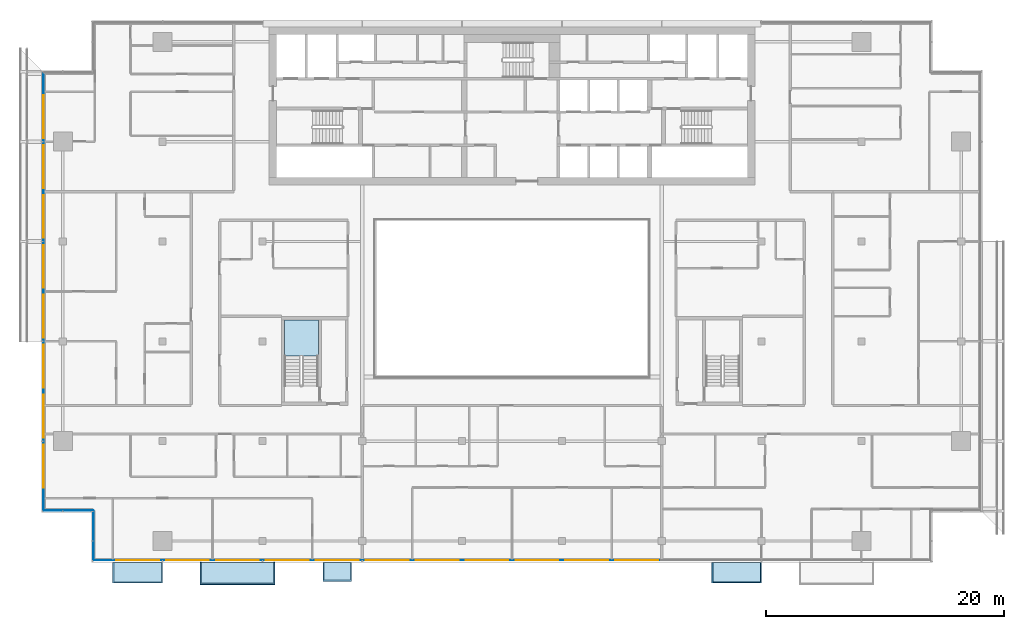
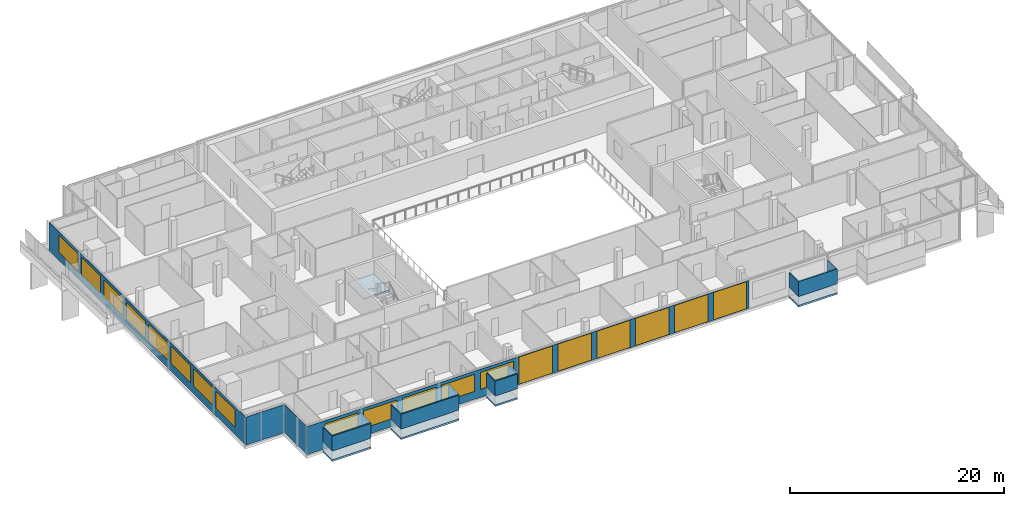
# One storey, part 15 of 29: 19 windows, 12 plates, 5 slabs, 19 openings, 5 elements without a shape of their own.
"""IFC4 building model written with IfcOpenShell, lengths in metres."""

from ifc_helpers import new_model, si_unit, direction, frame, frame_2d, origin, place, context, subcontext, project, spatial, polyline, rectangle, outline, extrude, material, layer, layer_set, type_object, element, fill, aggregate, save


model = new_model("IFC4")

# Units and contexts
model_context = context("Model", 3, precision=1e-05, world=origin(), true_north=direction((0.0, 1.0)))
body_context = subcontext(model_context, "Body", "Model", "MODEL_VIEW")
ifc_project = project(units=[si_unit("LENGTHUNIT", "METRE"), si_unit("AREAUNIT", "SQUARE_METRE"), si_unit("VOLUMEUNIT", "CUBIC_METRE"), si_unit("PLANEANGLEUNIT", "RADIAN"), si_unit("MASSUNIT", "GRAM", prefix="KILO")], contexts=[model_context])

# Site, building, storey
site_placement = place(None, origin())
site = spatial("IfcSite", under=ifc_project, at=site_placement, CompositionType="ELEMENT")
building_placement = place(site_placement, origin())
building = spatial("IfcBuilding", under=site, at=building_placement, Name="Saffron Gate Tower", CompositionType="ELEMENT")
storey_placement = place(building_placement, frame((0.0, 0.0, 219.89990234375)))
storey = spatial("IfcBuildingStorey", under=building, at=storey_placement, Name="L53", CompositionType="ELEMENT", Elevation=219.89990234375)

# Curtain wall, plates, openings, windows
ifc_material_1 = material(Name="Aluminium, bronze anodised", Category="aluminium")
curtain_wall_type_1 = type_object("IfcCurtainWallType", Name="CWS1 curtain wall front facade", PredefinedType="NOTDEFINED", material=ifc_material_1)
curtain_wall_1_placement = place(storey_placement, origin())
curtain_wall_1 = element("IfcCurtainWall", 1, at=curtain_wall_1_placement, inside=storey, type_object=curtain_wall_type_1, Name="CWS1 run 1", PredefinedType="NOTDEFINED")
ifc_material_2 = material(Name="Clear low-iron laminated glass", Category="glass")
ifc_layer_1 = layer(ifc_material_2, 0.028076171875)
ifc_layer_set_1 = layer_set([ifc_layer_1], Name="CWS1 clear glass")
plate_type_1 = type_object("IfcPlateType", Name="CWS1 clear glass", PredefinedType="CURTAIN_PANEL", material=ifc_layer_set_1)
plate_1_placement = place(storey_placement, frame((75.030029296875, 30.174072265625, 0.0), z_axis=(0.0, 0.0, 1.0), x_axis=(1.0, 0.0, 0.0)))
plate_1 = element("IfcPlate", 2, at=plate_1_placement, type_object=plate_type_1, Name="CWS1 clear glass panel", PredefinedType="CURTAIN_PANEL", context=body_context, shape_type="SweptSolid", body=[
    extrude(rectangle(XDim=25.139892578125, YDim=0.028076171875, at=frame_2d((12.56982421875, 0.0))), origin(), (0.0, 0.0, 1.0), 3.2001953125),
])
opening_1_placement = place(plate_1_placement, frame((0.27001953125, 0.0, 0.050048828125)))
opening_1 = element("IfcOpeningElement", 3, at=opening_1_placement, cuts=plate_1, Name="Opening WA", PredefinedType="OPENING", context=body_context, shape_type="SweptSolid", body=[
    extrude(rectangle(XDim=3.60009765625, YDim=3.10009765625, at=frame_2d((1.800048828125, 1.550048828125))), frame((0.0, 0.02392578125, 0.0), z_axis=(0.0, -1.0, 0.0), x_axis=(1.0, 0.0, 0.0)), (0.0, 0.0, 1.0), 0.048095703125),
])
opening_2_placement = place(plate_1_placement, frame((4.469970703125, 0.0, 0.050048828125)))
opening_2 = element("IfcOpeningElement", 4, at=opening_2_placement, cuts=plate_1, Name="Opening WA", PredefinedType="OPENING", context=body_context, shape_type="SweptSolid", body=[
    extrude(rectangle(XDim=3.60009765625, YDim=3.10009765625, at=frame_2d((1.800048828125, 1.550048828125))), frame((0.0, 0.02392578125, 0.0), z_axis=(0.0, -1.0, 0.0), x_axis=(1.0, 0.0, 0.0)), (0.0, 0.0, 1.0), 0.048095703125),
])
opening_3_placement = place(plate_1_placement, frame((8.669921875, 0.0, 0.050048828125)))
opening_3 = element("IfcOpeningElement", 5, at=opening_3_placement, cuts=plate_1, Name="Opening WA", PredefinedType="OPENING", context=body_context, shape_type="SweptSolid", body=[
    extrude(rectangle(XDim=3.60009765625, YDim=3.10009765625, at=frame_2d((1.800048828125, 1.550048828125))), frame((0.0, 0.02392578125, 0.0), z_axis=(0.0, -1.0, 0.0), x_axis=(1.0, 0.0, 0.0)), (0.0, 0.0, 1.0), 0.048095703125),
])
opening_4_placement = place(plate_1_placement, frame((12.8701171875, 0.0, 0.050048828125)))
opening_4 = element("IfcOpeningElement", 6, at=opening_4_placement, cuts=plate_1, Name="Opening WA", PredefinedType="OPENING", context=body_context, shape_type="SweptSolid", body=[
    extrude(rectangle(XDim=3.60009765625, YDim=3.10009765625, at=frame_2d((1.800048828125, 1.550048828125))), frame((0.0, 0.02392578125, 0.0), z_axis=(0.0, -1.0, 0.0), x_axis=(1.0, 0.0, 0.0)), (0.0, 0.0, 1.0), 0.048095703125),
])
opening_5_placement = place(plate_1_placement, frame((17.070068359375, 0.0, 0.050048828125)))
opening_5 = element("IfcOpeningElement", 7, at=opening_5_placement, cuts=plate_1, Name="Opening WA", PredefinedType="OPENING", context=body_context, shape_type="SweptSolid", body=[
    extrude(rectangle(XDim=3.60009765625, YDim=3.10009765625, at=frame_2d((1.800048828125, 1.550048828125))), frame((0.0, 0.02392578125, 0.0), z_axis=(0.0, -1.0, 0.0), x_axis=(1.0, 0.0, 0.0)), (0.0, 0.0, 1.0), 0.048095703125),
])
opening_6_placement = place(plate_1_placement, frame((21.27001953125, 0.0, 0.050048828125)))
opening_6 = element("IfcOpeningElement", 8, at=opening_6_placement, cuts=plate_1, Name="Opening WA", PredefinedType="OPENING", context=body_context, shape_type="SweptSolid", body=[
    extrude(rectangle(XDim=3.60009765625, YDim=3.10009765625, at=frame_2d((1.800048828125, 1.550048828125))), frame((0.0, 0.02392578125, 0.0), z_axis=(0.0, -1.0, 0.0), x_axis=(1.0, 0.0, 0.0)), (0.0, 0.0, 1.0), 0.048095703125),
])
ifc_material_3 = material(Name="Clear low-iron laminated glass in bronze frame", Category="glass")
ifc_layer_2 = layer(ifc_material_3, 0.06005859375)
ifc_layer_set_2 = layer_set([ifc_layer_2], Name="WA operable atrium unit 3600x3100")
window_type_1 = type_object("IfcWindowType", Name="WA operable atrium unit 3600x3100", PartitioningType="DOUBLE_PANEL_HORIZONTAL", PredefinedType="WINDOW", material=ifc_layer_set_2)
window_1_placement = place(opening_1_placement, origin())
window_1 = element("IfcWindow", 9, at=window_1_placement, type_object=window_type_1, Name="WA operable atrium unit", OverallHeight=3.10009765625, OverallWidth=3.60009765625, PartitioningType="SINGLE_PANEL", PredefinedType="WINDOW", context=body_context, shape_type="SweptSolid", body=[
    extrude(rectangle(XDim=3.60009765625, YDim=3.10009765625, at=frame_2d((1.800048828125, 1.550048828125))), frame((0.0, 0.013671875, 0.0), z_axis=(0.0, -1.0, 0.0), x_axis=(1.0, 0.0, 0.0)), (0.0, 0.0, 1.0), 0.027587890625),
])
fill(opening_1, window_1)
window_2_placement = place(opening_2_placement, origin())
window_2 = element("IfcWindow", 10, at=window_2_placement, type_object=window_type_1, Name="WA operable atrium unit", OverallHeight=3.10009765625, OverallWidth=3.60009765625, PartitioningType="SINGLE_PANEL", PredefinedType="WINDOW", context=body_context, shape_type="SweptSolid", body=[
    extrude(rectangle(XDim=3.60009765625, YDim=3.10009765625, at=frame_2d((1.800048828125, 1.550048828125))), frame((0.0, 0.013671875, 0.0), z_axis=(0.0, -1.0, 0.0), x_axis=(1.0, 0.0, 0.0)), (0.0, 0.0, 1.0), 0.027587890625),
])
fill(opening_2, window_2)
window_3_placement = place(opening_3_placement, origin())
window_3 = element("IfcWindow", 11, at=window_3_placement, type_object=window_type_1, Name="WA operable atrium unit", OverallHeight=3.10009765625, OverallWidth=3.60009765625, PartitioningType="SINGLE_PANEL", PredefinedType="WINDOW", context=body_context, shape_type="SweptSolid", body=[
    extrude(rectangle(XDim=3.60009765625, YDim=3.10009765625, at=frame_2d((1.800048828125, 1.550048828125))), frame((0.0, 0.013671875, 0.0), z_axis=(0.0, -1.0, 0.0), x_axis=(1.0, 0.0, 0.0)), (0.0, 0.0, 1.0), 0.027587890625),
])
fill(opening_3, window_3)
window_4_placement = place(opening_4_placement, origin())
window_4 = element("IfcWindow", 12, at=window_4_placement, type_object=window_type_1, Name="WA operable atrium unit", OverallHeight=3.10009765625, OverallWidth=3.60009765625, PartitioningType="SINGLE_PANEL", PredefinedType="WINDOW", context=body_context, shape_type="SweptSolid", body=[
    extrude(rectangle(XDim=3.60009765625, YDim=3.10009765625, at=frame_2d((1.800048828125, 1.550048828125))), frame((0.0, 0.013671875, 0.0), z_axis=(0.0, -1.0, 0.0), x_axis=(1.0, 0.0, 0.0)), (0.0, 0.0, 1.0), 0.027587890625),
])
fill(opening_4, window_4)
window_5_placement = place(opening_5_placement, origin())
window_5 = element("IfcWindow", 13, at=window_5_placement, type_object=window_type_1, Name="WA operable atrium unit", OverallHeight=3.10009765625, OverallWidth=3.60009765625, PartitioningType="SINGLE_PANEL", PredefinedType="WINDOW", context=body_context, shape_type="SweptSolid", body=[
    extrude(rectangle(XDim=3.60009765625, YDim=3.10009765625, at=frame_2d((1.800048828125, 1.550048828125))), frame((0.0, 0.013671875, 0.0), z_axis=(0.0, -1.0, 0.0), x_axis=(1.0, 0.0, 0.0)), (0.0, 0.0, 1.0), 0.027587890625),
])
fill(opening_5, window_5)
window_6_placement = place(opening_6_placement, origin())
window_6 = element("IfcWindow", 14, at=window_6_placement, type_object=window_type_1, Name="WA operable atrium unit", OverallHeight=3.10009765625, OverallWidth=3.60009765625, PartitioningType="SINGLE_PANEL", PredefinedType="WINDOW", context=body_context, shape_type="SweptSolid", body=[
    extrude(rectangle(XDim=3.60009765625, YDim=3.10009765625, at=frame_2d((1.800048828125, 1.550048828125))), frame((0.0, 0.013671875, 0.0), z_axis=(0.0, -1.0, 0.0), x_axis=(1.0, 0.0, 0.0)), (0.0, 0.0, 1.0), 0.027587890625),
])
fill(opening_6, window_6)
ifc_material_4 = material(Name="Fritted bronze-tinted laminated glass", Category="glass")
ifc_layer_3 = layer(ifc_material_4, 0.028076171875)
ifc_layer_set_3 = layer_set([ifc_layer_3], Name="CWS1 fixed glass")
plate_type_2 = type_object("IfcPlateType", Name="CWS1 fixed glass", PredefinedType="CURTAIN_PANEL", material=ifc_layer_set_3)
plate_2_placement = place(storey_placement, frame((52.387939453125, 30.174072265625, 0.0), z_axis=(0.0, 0.0, 1.0), x_axis=(1.0, 0.0, 0.0)))
plate_2 = element("IfcPlate", 15, at=plate_2_placement, type_object=plate_type_2, Name="CWS1 glass panel", PredefinedType="CURTAIN_PANEL", context=body_context, shape_type="SweptSolid", body=[
    extrude(rectangle(XDim=22.64208984375, YDim=0.028076171875, at=frame_2d((11.321044921875, 0.0))), origin(), (0.0, 0.0, 1.0), 3.2001953125),
])
opening_7_placement = place(plate_2_placement, frame((1.912109375, 0.0, 0.89990234375)))
opening_7 = element("IfcOpeningElement", 16, at=opening_7_placement, cuts=plate_2, Name="Opening W1", PredefinedType="OPENING", context=body_context, shape_type="SweptSolid", body=[
    extrude(rectangle(XDim=3.60009765625, YDim=1.949951171875, at=frame_2d((1.800048828125, 0.97509765625))), frame((0.0, 0.02392578125, 0.0), z_axis=(0.0, -1.0, 0.0), x_axis=(1.0, 0.0, 0.0)), (0.0, 0.0, 1.0), 0.048095703125),
])
opening_8_placement = place(plate_2_placement, frame((6.112060546875, 0.0, 0.89990234375)))
opening_8 = element("IfcOpeningElement", 17, at=opening_8_placement, cuts=plate_2, Name="Opening W1", PredefinedType="OPENING", context=body_context, shape_type="SweptSolid", body=[
    extrude(rectangle(XDim=3.60009765625, YDim=1.949951171875, at=frame_2d((1.800048828125, 0.97509765625))), frame((0.0, 0.02392578125, 0.0), z_axis=(0.0, -1.0, 0.0), x_axis=(1.0, 0.0, 0.0)), (0.0, 0.0, 1.0), 0.048095703125),
])
opening_9_placement = place(plate_2_placement, frame((10.31201171875, 0.0, 0.89990234375)))
opening_9 = element("IfcOpeningElement", 18, at=opening_9_placement, cuts=plate_2, Name="Opening W1", PredefinedType="OPENING", context=body_context, shape_type="SweptSolid", body=[
    extrude(rectangle(XDim=3.60009765625, YDim=1.949951171875, at=frame_2d((1.800048828125, 0.97509765625))), frame((0.0, 0.02392578125, 0.0), z_axis=(0.0, -1.0, 0.0), x_axis=(1.0, 0.0, 0.0)), (0.0, 0.0, 1.0), 0.048095703125),
])
opening_10_placement = place(plate_2_placement, frame((14.511962890625, 0.0, 0.89990234375)))
opening_10 = element("IfcOpeningElement", 19, at=opening_10_placement, cuts=plate_2, Name="Opening W1", PredefinedType="OPENING", context=body_context, shape_type="SweptSolid", body=[
    extrude(rectangle(XDim=3.60009765625, YDim=1.949951171875, at=frame_2d((1.800048828125, 0.97509765625))), frame((0.0, 0.02392578125, 0.0), z_axis=(0.0, -1.0, 0.0), x_axis=(1.0, 0.0, 0.0)), (0.0, 0.0, 1.0), 0.048095703125),
])
opening_11_placement = place(plate_2_placement, frame((18.7119140625, 0.0, 0.89990234375)))
opening_11 = element("IfcOpeningElement", 20, at=opening_11_placement, cuts=plate_2, Name="Opening W1", PredefinedType="OPENING", context=body_context, shape_type="SweptSolid", body=[
    extrude(rectangle(XDim=3.60009765625, YDim=1.949951171875, at=frame_2d((1.800048828125, 0.97509765625))), frame((0.0, 0.02392578125, 0.0), z_axis=(0.0, -1.0, 0.0), x_axis=(1.0, 0.0, 0.0)), (0.0, 0.0, 1.0), 0.048095703125),
])
ifc_material_5 = material(Name="Fritted bronze-tinted laminated glass in bronze frame", Category="glass")
ifc_layer_4 = layer(ifc_material_5, 0.06005859375)
ifc_layer_set_4 = layer_set([ifc_layer_4], Name="W1 operable panel 3600x1950")
window_type_2 = type_object("IfcWindowType", Name="W1 operable panel 3600x1950", PartitioningType="DOUBLE_PANEL_HORIZONTAL", PredefinedType="WINDOW", material=ifc_layer_set_4)
window_7_placement = place(opening_7_placement, origin())
window_7 = element("IfcWindow", 21, at=window_7_placement, type_object=window_type_2, Name="W1 operable panel", OverallHeight=1.949951171875, OverallWidth=3.60009765625, PartitioningType="SINGLE_PANEL", PredefinedType="WINDOW", context=body_context, shape_type="SweptSolid", body=[
    extrude(rectangle(XDim=3.60009765625, YDim=1.949951171875, at=frame_2d((1.800048828125, 0.97509765625))), frame((0.0, 0.013671875, 0.0), z_axis=(0.0, -1.0, 0.0), x_axis=(1.0, 0.0, 0.0)), (0.0, 0.0, 1.0), 0.027587890625),
])
fill(opening_7, window_7)
window_8_placement = place(opening_8_placement, origin())
window_8 = element("IfcWindow", 22, at=window_8_placement, type_object=window_type_2, Name="W1 operable panel", OverallHeight=1.949951171875, OverallWidth=3.60009765625, PartitioningType="SINGLE_PANEL", PredefinedType="WINDOW", context=body_context, shape_type="SweptSolid", body=[
    extrude(rectangle(XDim=3.60009765625, YDim=1.949951171875, at=frame_2d((1.800048828125, 0.97509765625))), frame((0.0, 0.013671875, 0.0), z_axis=(0.0, -1.0, 0.0), x_axis=(1.0, 0.0, 0.0)), (0.0, 0.0, 1.0), 0.027587890625),
])
fill(opening_8, window_8)
window_9_placement = place(opening_9_placement, origin())
window_9 = element("IfcWindow", 23, at=window_9_placement, type_object=window_type_2, Name="W1 operable panel", OverallHeight=1.949951171875, OverallWidth=3.60009765625, PartitioningType="SINGLE_PANEL", PredefinedType="WINDOW", context=body_context, shape_type="SweptSolid", body=[
    extrude(rectangle(XDim=3.60009765625, YDim=1.949951171875, at=frame_2d((1.800048828125, 0.97509765625))), frame((0.0, 0.013671875, 0.0), z_axis=(0.0, -1.0, 0.0), x_axis=(1.0, 0.0, 0.0)), (0.0, 0.0, 1.0), 0.027587890625),
])
fill(opening_9, window_9)
window_10_placement = place(opening_10_placement, origin())
window_10 = element("IfcWindow", 24, at=window_10_placement, type_object=window_type_2, Name="W1 operable panel", OverallHeight=1.949951171875, OverallWidth=3.60009765625, PartitioningType="SINGLE_PANEL", PredefinedType="WINDOW", context=body_context, shape_type="SweptSolid", body=[
    extrude(rectangle(XDim=3.60009765625, YDim=1.949951171875, at=frame_2d((1.800048828125, 0.97509765625))), frame((0.0, 0.013671875, 0.0), z_axis=(0.0, -1.0, 0.0), x_axis=(1.0, 0.0, 0.0)), (0.0, 0.0, 1.0), 0.027587890625),
])
fill(opening_10, window_10)
window_11_placement = place(opening_11_placement, origin())
window_11 = element("IfcWindow", 25, at=window_11_placement, type_object=window_type_2, Name="W1 operable panel", OverallHeight=1.949951171875, OverallWidth=3.60009765625, PartitioningType="SINGLE_PANEL", PredefinedType="WINDOW", context=body_context, shape_type="SweptSolid", body=[
    extrude(rectangle(XDim=3.60009765625, YDim=1.949951171875, at=frame_2d((1.800048828125, 0.97509765625))), frame((0.0, 0.013671875, 0.0), z_axis=(0.0, -1.0, 0.0), x_axis=(1.0, 0.0, 0.0)), (0.0, 0.0, 1.0), 0.027587890625),
])
fill(opening_11, window_11)
aggregate(curtain_wall_1, [plate_2, plate_1, window_7, window_8, window_9, window_10, window_11, window_1, window_2, window_3, window_4, window_5, window_6])

# Curtain wall, plate, openings, windows
curtain_wall_type_2 = type_object("IfcCurtainWallType", Name="CWS2 curtain wall side facades", PredefinedType="NOTDEFINED", material=ifc_material_1)
curtain_wall_2_placement = place(storey_placement, origin())
curtain_wall_2 = element("IfcCurtainWall", 26, at=curtain_wall_2_placement, inside=storey, type_object=curtain_wall_type_2, Name="CWS2 run 10", PredefinedType="NOTDEFINED")
ifc_layer_5 = layer(ifc_material_4, 0.028076171875)
ifc_layer_set_5 = layer_set([ifc_layer_5], Name="CWS2 fixed glass")
plate_type_3 = type_object("IfcPlateType", Name="CWS2 fixed glass", PredefinedType="CURTAIN_PANEL", material=ifc_layer_set_5)
plate_3_placement = place(storey_placement, frame((48.174072265625, 71.2119140625, 0.0), z_axis=(0.0, 0.0, 1.0), x_axis=(0.0, -1.0, 0.0)))
plate_3 = element("IfcPlate", 27, at=plate_3_placement, type_object=plate_type_3, Name="CWS2 glass panel", PredefinedType="CURTAIN_PANEL", context=body_context, shape_type="SweptSolid", body=[
    extrude(rectangle(XDim=36.823974609375, YDim=0.028076171875, at=frame_2d((18.412109375, 0.0))), origin(), (0.0, 0.0, 1.0), 3.2001953125),
])
opening_12_placement = place(plate_3_placement, frame((1.912109375, 0.0, 0.89990234375)))
opening_12 = element("IfcOpeningElement", 28, at=opening_12_placement, cuts=plate_3, Name="Opening W1", PredefinedType="OPENING", context=body_context, shape_type="SweptSolid", body=[
    extrude(rectangle(XDim=3.60009765625, YDim=1.949951171875, at=frame_2d((1.800048828125, 0.97509765625))), frame((0.0, 0.02392578125, 0.0), z_axis=(0.0, -1.0, 0.0), x_axis=(1.0, 0.0, 0.0)), (0.0, 0.0, 1.0), 0.048095703125),
])
opening_13_placement = place(plate_3_placement, frame((6.112060546875, 0.0, 0.89990234375)))
opening_13 = element("IfcOpeningElement", 29, at=opening_13_placement, cuts=plate_3, Name="Opening W1", PredefinedType="OPENING", context=body_context, shape_type="SweptSolid", body=[
    extrude(rectangle(XDim=3.60009765625, YDim=1.949951171875, at=frame_2d((1.800048828125, 0.97509765625))), frame((0.0, 0.02392578125, 0.0), z_axis=(0.0, -1.0, 0.0), x_axis=(1.0, 0.0, 0.0)), (0.0, 0.0, 1.0), 0.048095703125),
])
opening_14_placement = place(plate_3_placement, frame((10.31201171875, 0.0, 0.89990234375)))
opening_14 = element("IfcOpeningElement", 30, at=opening_14_placement, cuts=plate_3, Name="Opening W1", PredefinedType="OPENING", context=body_context, shape_type="SweptSolid", body=[
    extrude(rectangle(XDim=3.60009765625, YDim=1.949951171875, at=frame_2d((1.800048828125, 0.97509765625))), frame((0.0, 0.02392578125, 0.0), z_axis=(0.0, -1.0, 0.0), x_axis=(1.0, 0.0, 0.0)), (0.0, 0.0, 1.0), 0.048095703125),
])
opening_15_placement = place(plate_3_placement, frame((14.511962890625, 0.0, 0.89990234375)))
opening_15 = element("IfcOpeningElement", 31, at=opening_15_placement, cuts=plate_3, Name="Opening W1", PredefinedType="OPENING", context=body_context, shape_type="SweptSolid", body=[
    extrude(rectangle(XDim=3.60009765625, YDim=1.949951171875, at=frame_2d((1.800048828125, 0.97509765625))), frame((0.0, 0.02392578125, 0.0), z_axis=(0.0, -1.0, 0.0), x_axis=(1.0, 0.0, 0.0)), (0.0, 0.0, 1.0), 0.048095703125),
])
opening_16_placement = place(plate_3_placement, frame((18.7119140625, 0.0, 0.89990234375)))
opening_16 = element("IfcOpeningElement", 32, at=opening_16_placement, cuts=plate_3, Name="Opening W1", PredefinedType="OPENING", context=body_context, shape_type="SweptSolid", body=[
    extrude(rectangle(XDim=3.60009765625, YDim=1.949951171875, at=frame_2d((1.800048828125, 0.97509765625))), frame((0.0, 0.02392578125, 0.0), z_axis=(0.0, -1.0, 0.0), x_axis=(1.0, 0.0, 0.0)), (0.0, 0.0, 1.0), 0.048095703125),
])
opening_17_placement = place(plate_3_placement, frame((22.912109375, 0.0, 0.89990234375)))
opening_17 = element("IfcOpeningElement", 33, at=opening_17_placement, cuts=plate_3, Name="Opening W1", PredefinedType="OPENING", context=body_context, shape_type="SweptSolid", body=[
    extrude(rectangle(XDim=3.60009765625, YDim=1.949951171875, at=frame_2d((1.800048828125, 0.97509765625))), frame((0.0, 0.02392578125, 0.0), z_axis=(0.0, -1.0, 0.0), x_axis=(1.0, 0.0, 0.0)), (0.0, 0.0, 1.0), 0.048095703125),
])
opening_18_placement = place(plate_3_placement, frame((27.112060546875, 0.0, 0.89990234375)))
opening_18 = element("IfcOpeningElement", 34, at=opening_18_placement, cuts=plate_3, Name="Opening W1", PredefinedType="OPENING", context=body_context, shape_type="SweptSolid", body=[
    extrude(rectangle(XDim=3.60009765625, YDim=1.949951171875, at=frame_2d((1.800048828125, 0.97509765625))), frame((0.0, 0.02392578125, 0.0), z_axis=(0.0, -1.0, 0.0), x_axis=(1.0, 0.0, 0.0)), (0.0, 0.0, 1.0), 0.048095703125),
])
opening_19_placement = place(plate_3_placement, frame((31.31201171875, 0.0, 0.89990234375)))
opening_19 = element("IfcOpeningElement", 35, at=opening_19_placement, cuts=plate_3, Name="Opening W1", PredefinedType="OPENING", context=body_context, shape_type="SweptSolid", body=[
    extrude(rectangle(XDim=3.60009765625, YDim=1.949951171875, at=frame_2d((1.800048828125, 0.97509765625))), frame((0.0, 0.02392578125, 0.0), z_axis=(0.0, -1.0, 0.0), x_axis=(1.0, 0.0, 0.0)), (0.0, 0.0, 1.0), 0.048095703125),
])
window_12_placement = place(opening_12_placement, origin())
window_12 = element("IfcWindow", 36, at=window_12_placement, type_object=window_type_2, Name="W1 operable panel", OverallHeight=1.949951171875, OverallWidth=3.60009765625, PartitioningType="SINGLE_PANEL", PredefinedType="WINDOW", context=body_context, shape_type="SweptSolid", body=[
    extrude(rectangle(XDim=3.60009765625, YDim=1.949951171875, at=frame_2d((1.800048828125, 0.97509765625))), frame((0.0, 0.013671875, 0.0), z_axis=(0.0, -1.0, 0.0), x_axis=(1.0, 0.0, 0.0)), (0.0, 0.0, 1.0), 0.027587890625),
])
fill(opening_12, window_12)
window_13_placement = place(opening_13_placement, origin())
window_13 = element("IfcWindow", 37, at=window_13_placement, type_object=window_type_2, Name="W1 operable panel", OverallHeight=1.949951171875, OverallWidth=3.60009765625, PartitioningType="SINGLE_PANEL", PredefinedType="WINDOW", context=body_context, shape_type="SweptSolid", body=[
    extrude(rectangle(XDim=3.60009765625, YDim=1.949951171875, at=frame_2d((1.800048828125, 0.97509765625))), frame((0.0, 0.013671875, 0.0), z_axis=(0.0, -1.0, 0.0), x_axis=(1.0, 0.0, 0.0)), (0.0, 0.0, 1.0), 0.027587890625),
])
fill(opening_13, window_13)
window_14_placement = place(opening_14_placement, origin())
window_14 = element("IfcWindow", 38, at=window_14_placement, type_object=window_type_2, Name="W1 operable panel", OverallHeight=1.949951171875, OverallWidth=3.60009765625, PartitioningType="SINGLE_PANEL", PredefinedType="WINDOW", context=body_context, shape_type="SweptSolid", body=[
    extrude(rectangle(XDim=3.60009765625, YDim=1.949951171875, at=frame_2d((1.800048828125, 0.97509765625))), frame((0.0, 0.013671875, 0.0), z_axis=(0.0, -1.0, 0.0), x_axis=(1.0, 0.0, 0.0)), (0.0, 0.0, 1.0), 0.027587890625),
])
fill(opening_14, window_14)
window_15_placement = place(opening_15_placement, origin())
window_15 = element("IfcWindow", 39, at=window_15_placement, type_object=window_type_2, Name="W1 operable panel", OverallHeight=1.949951171875, OverallWidth=3.60009765625, PartitioningType="SINGLE_PANEL", PredefinedType="WINDOW", context=body_context, shape_type="SweptSolid", body=[
    extrude(rectangle(XDim=3.60009765625, YDim=1.949951171875, at=frame_2d((1.800048828125, 0.97509765625))), frame((0.0, 0.013671875, 0.0), z_axis=(0.0, -1.0, 0.0), x_axis=(1.0, 0.0, 0.0)), (0.0, 0.0, 1.0), 0.027587890625),
])
fill(opening_15, window_15)
window_16_placement = place(opening_16_placement, origin())
window_16 = element("IfcWindow", 40, at=window_16_placement, type_object=window_type_2, Name="W1 operable panel", OverallHeight=1.949951171875, OverallWidth=3.60009765625, PartitioningType="SINGLE_PANEL", PredefinedType="WINDOW", context=body_context, shape_type="SweptSolid", body=[
    extrude(rectangle(XDim=3.60009765625, YDim=1.949951171875, at=frame_2d((1.800048828125, 0.97509765625))), frame((0.0, 0.013671875, 0.0), z_axis=(0.0, -1.0, 0.0), x_axis=(1.0, 0.0, 0.0)), (0.0, 0.0, 1.0), 0.027587890625),
])
fill(opening_16, window_16)
window_17_placement = place(opening_17_placement, origin())
window_17 = element("IfcWindow", 41, at=window_17_placement, type_object=window_type_2, Name="W1 operable panel", OverallHeight=1.949951171875, OverallWidth=3.60009765625, PartitioningType="SINGLE_PANEL", PredefinedType="WINDOW", context=body_context, shape_type="SweptSolid", body=[
    extrude(rectangle(XDim=3.60009765625, YDim=1.949951171875, at=frame_2d((1.800048828125, 0.97509765625))), frame((0.0, 0.013671875, 0.0), z_axis=(0.0, -1.0, 0.0), x_axis=(1.0, 0.0, 0.0)), (0.0, 0.0, 1.0), 0.027587890625),
])
fill(opening_17, window_17)
window_18_placement = place(opening_18_placement, origin())
window_18 = element("IfcWindow", 42, at=window_18_placement, type_object=window_type_2, Name="W1 operable panel", OverallHeight=1.949951171875, OverallWidth=3.60009765625, PartitioningType="SINGLE_PANEL", PredefinedType="WINDOW", context=body_context, shape_type="SweptSolid", body=[
    extrude(rectangle(XDim=3.60009765625, YDim=1.949951171875, at=frame_2d((1.800048828125, 0.97509765625))), frame((0.0, 0.013671875, 0.0), z_axis=(0.0, -1.0, 0.0), x_axis=(1.0, 0.0, 0.0)), (0.0, 0.0, 1.0), 0.027587890625),
])
fill(opening_18, window_18)
window_19_placement = place(opening_19_placement, origin())
window_19 = element("IfcWindow", 43, at=window_19_placement, type_object=window_type_2, Name="W1 operable panel", OverallHeight=1.949951171875, OverallWidth=3.60009765625, PartitioningType="SINGLE_PANEL", PredefinedType="WINDOW", context=body_context, shape_type="SweptSolid", body=[
    extrude(rectangle(XDim=3.60009765625, YDim=1.949951171875, at=frame_2d((1.800048828125, 0.97509765625))), frame((0.0, 0.013671875, 0.0), z_axis=(0.0, -1.0, 0.0), x_axis=(1.0, 0.0, 0.0)), (0.0, 0.0, 1.0), 0.027587890625),
])
fill(opening_19, window_19)
aggregate(curtain_wall_2, [plate_3, window_12, window_13, window_14, window_15, window_16, window_17, window_18, window_19])

# Curtain wall, plate
curtain_wall_type_3 = type_object("IfcCurtainWallType", Name="CWS4 curtain wall corner returns", PredefinedType="NOTDEFINED", material=ifc_material_1)
curtain_wall_3_placement = place(storey_placement, origin())
curtain_wall_3 = element("IfcCurtainWall", 44, at=curtain_wall_3_placement, inside=storey, type_object=curtain_wall_type_3, Name="CWS4 run 11", PredefinedType="NOTDEFINED")
ifc_layer_6 = layer(ifc_material_4, 0.028076171875)
ifc_layer_set_6 = layer_set([ifc_layer_6], Name="CWS4 fixed glass")
plate_type_4 = type_object("IfcPlateType", Name="CWS4 fixed glass", PredefinedType="CURTAIN_PANEL", material=ifc_layer_set_6)
plate_4_placement = place(storey_placement, frame((48.18798828125, 34.3740234375, 0.0), z_axis=(0.0, 0.0, 1.0), x_axis=(1.0, 0.0, 0.0)))
plate_4 = element("IfcPlate", 45, at=plate_4_placement, type_object=plate_type_4, Name="CWS4 glass panel", PredefinedType="CURTAIN_PANEL", context=body_context, shape_type="SweptSolid", body=[
    extrude(rectangle(XDim=4.172119140625, YDim=0.028076171875, at=frame_2d((2.0859375, 0.0))), origin(), (0.0, 0.0, 1.0), 3.2001953125),
])
aggregate(curtain_wall_3, [plate_4])

curtain_wall_4_placement = place(storey_placement, origin())
curtain_wall_4 = element("IfcCurtainWall", 46, at=curtain_wall_4_placement, inside=storey, type_object=curtain_wall_type_3, Name="CWS4 run 12", PredefinedType="NOTDEFINED")
plate_5_placement = place(storey_placement, frame((52.3740234375, 34.360107421875, 0.0), z_axis=(0.0, 0.0, 1.0), x_axis=(0.0, -1.0, 0.0)))
plate_5 = element("IfcPlate", 47, at=plate_5_placement, type_object=plate_type_4, Name="CWS4 glass panel", PredefinedType="CURTAIN_PANEL", context=body_context, shape_type="SweptSolid", body=[
    extrude(rectangle(XDim=4.172119140625, YDim=0.028076171875, at=frame_2d((2.0859375, 0.0))), origin(), (0.0, 0.0, 1.0), 3.2001953125),
])
aggregate(curtain_wall_4, [plate_5])

# Stair, slab
ifc_material_6 = material(Name="Concrete C40", Category="concrete")
stair_type = type_object("IfcStairType", Name="ST7 Stair 1350 wide, 20 risers of 180", PredefinedType="HALF_TURN_STAIR", material=ifc_material_6)
stair_placement = place(storey_placement, origin())
stair = element("IfcStair", 48, at=stair_placement, inside=storey, type_object=stair_type, Name="L53 Exit stair D", PredefinedType="HALF_TURN_STAIR")
ifc_layer_7 = layer(ifc_material_6, 0.199951171875)
ifc_layer_set_7 = layer_set([ifc_layer_7], Name="SL1 Stair landing 200")
slab_type_1 = type_object("IfcSlabType", Name="SL1 Stair landing 200", PredefinedType="LANDING", material=ifc_layer_set_7)
slab_1_placement = place(storey_placement, frame((0.0, 0.0, 1.60009765625)))
slab_1 = element("IfcSlab", 49, at=slab_1_placement, type_object=slab_type_1, Name="ST-D landing 1", PredefinedType="LANDING", context=body_context, shape_type="SweptSolid", body=[
    extrude(outline(polyline([(71.300048828125, 47.3701171875), (71.300048828125, 50.39990234375), (68.449951171875, 50.39990234375), (68.449951171875, 47.3701171875), (71.300048828125, 47.3701171875)])), origin(), (0.0, 0.0, 1.0), 0.199951171875),
])
aggregate(stair, [slab_1])

# Slabs
ifc_material_7 = material(Name="Timber deck on bronze frame", Category="wood")
ifc_layer_8 = layer(ifc_material_7, 0.199951171875)
ifc_layer_set_8 = layer_set([ifc_layer_8], Name="WB1 box floor")
slab_type_2 = type_object("IfcSlabType", Name="WB1 box floor", PredefinedType="FLOOR", material=ifc_layer_set_8)
slab_2_placement = place(storey_placement, frame((0.0, 0.0, -0.199951171875)))
element("IfcSlab", 50, at=slab_2_placement, inside=storey, type_object=slab_type_2, Name="WINDOW BOX floor", PredefinedType="FLOOR", context=body_context, shape_type="SweptSolid", body=[
    extrude(outline(polyline([(54.0, 30.0), (58.199951171875, 30.0), (58.199951171875, 28.26708984375), (54.0, 28.26708984375), (54.0, 30.0)])), origin(), (0.0, 0.0, 1.0), 0.199951171875),
])
slab_3_placement = place(storey_placement, frame((0.0, 0.0, -0.199951171875)))
element("IfcSlab", 51, at=slab_3_placement, inside=storey, type_object=slab_type_2, Name="WINDOW BOX floor", PredefinedType="FLOOR", context=body_context, shape_type="SweptSolid", body=[
    extrude(outline(polyline([(61.35009765625, 30.0), (67.64990234375, 30.0), (67.64990234375, 28.133056640625), (61.35009765625, 28.133056640625), (61.35009765625, 30.0)])), origin(), (0.0, 0.0, 1.0), 0.199951171875),
])
slab_4_placement = place(storey_placement, frame((0.0, 0.0, -0.199951171875)))
element("IfcSlab", 52, at=slab_4_placement, inside=storey, type_object=slab_type_2, Name="WINDOW BOX floor", PredefinedType="FLOOR", context=body_context, shape_type="SweptSolid", body=[
    extrude(outline(polyline([(71.699951171875, 30.0), (74.10009765625, 30.0), (74.10009765625, 28.39990234375), (71.699951171875, 28.39990234375), (71.699951171875, 30.0)])), origin(), (0.0, 0.0, 1.0), 0.199951171875),
])
slab_5_placement = place(storey_placement, frame((0.0, 0.0, -0.199951171875)))
element("IfcSlab", 53, at=slab_5_placement, inside=storey, type_object=slab_type_2, Name="WINDOW BOX floor", PredefinedType="FLOOR", context=body_context, shape_type="SweptSolid", body=[
    extrude(outline(polyline([(104.39990234375, 30.0), (108.60009765625, 30.0), (108.60009765625, 28.26708984375), (104.39990234375, 28.26708984375), (104.39990234375, 30.0)])), origin(), (0.0, 0.0, 1.0), 0.199951171875),
])

# Plates
ifc_layer_9 = layer(ifc_material_1, 0.1201171875)
ifc_layer_set_9 = layer_set([ifc_layer_9], Name="WB2 box roof")
plate_type_5 = type_object("IfcPlateType", Name="WB2 box roof", PredefinedType="SHEET", material=ifc_layer_set_9)
plate_6_placement = place(storey_placement, frame((0.0, 0.0, 2.7001953125)))
element("IfcPlate", 54, at=plate_6_placement, inside=storey, type_object=plate_type_5, Name="WINDOW BOX roof", PredefinedType="SHEET", context=body_context, shape_type="SweptSolid", body=[
    extrude(outline(polyline([(54.0, 30.0), (58.199951171875, 30.0), (58.199951171875, 28.26708984375), (54.0, 28.26708984375), (54.0, 30.0)])), origin(), (0.0, 0.0, 1.0), 0.119873046875),
])
plate_7_placement = place(storey_placement, frame((0.0, 0.0, 2.7001953125)))
element("IfcPlate", 55, at=plate_7_placement, inside=storey, type_object=plate_type_5, Name="WINDOW BOX roof", PredefinedType="SHEET", context=body_context, shape_type="SweptSolid", body=[
    extrude(outline(polyline([(61.35009765625, 30.0), (67.64990234375, 30.0), (67.64990234375, 28.133056640625), (61.35009765625, 28.133056640625), (61.35009765625, 30.0)])), origin(), (0.0, 0.0, 1.0), 0.119873046875),
])
plate_8_placement = place(storey_placement, frame((0.0, 0.0, 2.7001953125)))
element("IfcPlate", 56, at=plate_8_placement, inside=storey, type_object=plate_type_5, Name="WINDOW BOX roof", PredefinedType="SHEET", context=body_context, shape_type="SweptSolid", body=[
    extrude(outline(polyline([(71.699951171875, 30.0), (74.10009765625, 30.0), (74.10009765625, 28.39990234375), (71.699951171875, 28.39990234375), (71.699951171875, 30.0)])), origin(), (0.0, 0.0, 1.0), 0.119873046875),
])
ifc_layer_10 = layer(ifc_material_2, 0.10009765625)
ifc_layer_set_10 = layer_set([ifc_layer_10], Name="WB6 box glazing")
plate_type_6 = type_object("IfcPlateType", Name="WB6 box glazing", PredefinedType="SHEET", material=ifc_layer_set_10)
plate_9_placement = place(storey_placement, frame((0.0, 0.0, 1.0)))
element("IfcPlate", 57, at=plate_9_placement, inside=storey, type_object=plate_type_6, Name="WINDOW BOX glazing", PredefinedType="SHEET", context=body_context, shape_type="SweptSolid", body=[
    extrude(outline(polyline([(54.0, 30.0), (54.10009765625, 30.0), (54.10009765625, 28.366943359375), (58.10009765625, 28.366943359375), (58.10009765625, 30.0), (58.199951171875, 30.0), (58.199951171875, 28.26708984375), (54.0, 28.26708984375), (54.0, 30.0)])), origin(), (0.0, 0.0, 1.0), 1.7001953125),
])
plate_10_placement = place(storey_placement, frame((0.0, 0.0, 1.0)))
element("IfcPlate", 58, at=plate_10_placement, inside=storey, type_object=plate_type_6, Name="WINDOW BOX glazing", PredefinedType="SHEET", context=body_context, shape_type="SweptSolid", body=[
    extrude(outline(polyline([(61.35009765625, 30.0), (61.449951171875, 30.0), (61.449951171875, 28.23291015625), (67.550048828125, 28.23291015625), (67.550048828125, 30.0), (67.64990234375, 30.0), (67.64990234375, 28.133056640625), (61.35009765625, 28.133056640625), (61.35009765625, 30.0)])), origin(), (0.0, 0.0, 1.0), 1.7001953125),
])
plate_11_placement = place(storey_placement, frame((0.0, 0.0, 1.0)))
element("IfcPlate", 59, at=plate_11_placement, inside=storey, type_object=plate_type_6, Name="WINDOW BOX glazing", PredefinedType="SHEET", context=body_context, shape_type="SweptSolid", body=[
    extrude(outline(polyline([(71.699951171875, 30.0), (71.800048828125, 30.0), (71.800048828125, 28.5), (74.0, 28.5), (74.0, 30.0), (74.10009765625, 30.0), (74.10009765625, 28.39990234375), (71.699951171875, 28.39990234375), (71.699951171875, 30.0)])), origin(), (0.0, 0.0, 1.0), 1.7001953125),
])
plate_12_placement = place(storey_placement, frame((0.0, 0.0, 1.0)))
element("IfcPlate", 60, at=plate_12_placement, inside=storey, type_object=plate_type_6, Name="WINDOW BOX glazing", PredefinedType="SHEET", context=body_context, shape_type="SweptSolid", body=[
    extrude(outline(polyline([(104.39990234375, 30.0), (104.5, 30.0), (104.5, 28.366943359375), (108.5, 28.366943359375), (108.5, 30.0), (108.60009765625, 30.0), (108.60009765625, 28.26708984375), (104.39990234375, 28.26708984375), (104.39990234375, 30.0)])), origin(), (0.0, 0.0, 1.0), 1.7001953125),
])

save(model, "model.ifc")
